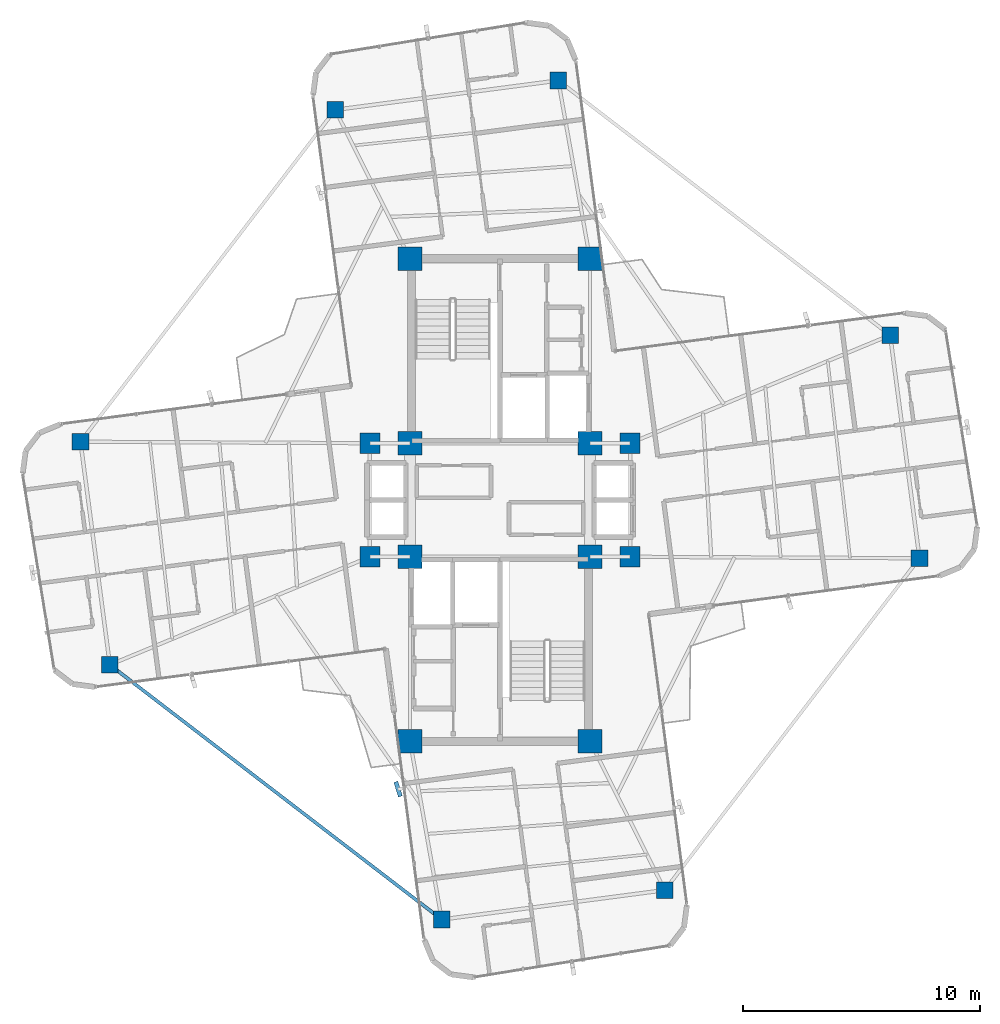
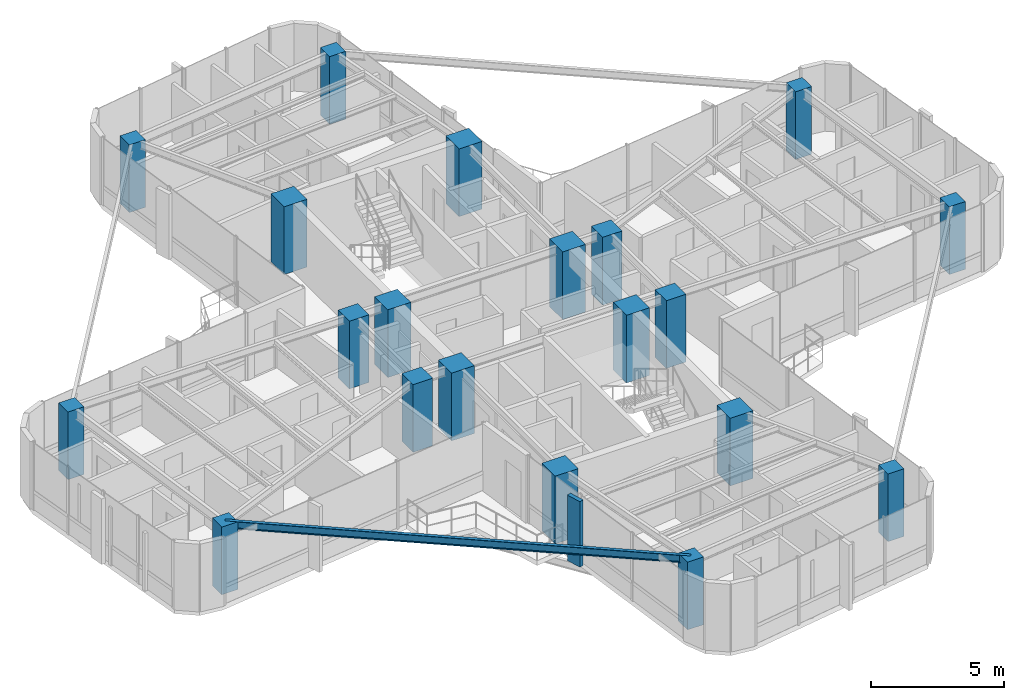
# One storey, part 1 of 23: 20 columns, 1 beam, 1 member, 1 element without a shape of its own.
"""IFC4 building model written with IfcOpenShell, lengths in metres."""

from ifc_helpers import new_model, si_unit, direction, frame, origin, origin_2d, place, context, subcontext, project, spatial, rectangle, i_section, extrude, source, transform, mapped, material, material_profile, profile_set, type_object, element, aggregate, save


model = new_model("IFC4")

# Units and contexts
model_context = context("Model", 3, precision=1e-05, world=origin(), true_north=direction((0.0, 1.0)))
body_context = subcontext(model_context, "Body", "Model", "MODEL_VIEW")
ifc_project = project(units=[si_unit("LENGTHUNIT", "METRE"), si_unit("AREAUNIT", "SQUARE_METRE"), si_unit("VOLUMEUNIT", "CUBIC_METRE"), si_unit("PLANEANGLEUNIT", "RADIAN"), si_unit("MASSUNIT", "GRAM", prefix="KILO")], contexts=[model_context])

# Site, building, storey
site_placement = place(None, origin())
site = spatial("IfcSite", under=ifc_project, at=site_placement, CompositionType="ELEMENT")
building_placement = place(site_placement, origin())
building = spatial("IfcBuilding", under=site, at=building_placement, Name="Sahyath Konkavel Grand Hotel", CompositionType="ELEMENT")
storey_placement = place(building_placement, frame((0.0, 0.0, 254.550048828125)))
storey = spatial("IfcBuildingStorey", under=building, at=storey_placement, Name="L71", CompositionType="ELEMENT", Elevation=254.550048828125)

# Columns
ifc_material_1 = material(Name="Concrete C50/60", Category="concrete")
ifc_material_profile_1 = material_profile(ifc_material_1, rectangle(XDim=1.0, YDim=1.0, at=origin_2d()), Name="RC 1000x1000")
ifc_profile_set_1 = profile_set([ifc_material_profile_1], Name="Concrete C50/60")
column_type_1 = type_object("IfcColumnType", Name="COL-RC1000", PredefinedType="COLUMN", material=ifc_profile_set_1)
shared_shape_1 = source(origin(), body_context, "Body", "SweptSolid", [
    extrude(rectangle(XDim=1.0, YDim=1.0, at=origin_2d()), origin(), (0.0, 0.0, 1.0), 3.10986328125),
])
for number, where, z_axis, x_axis, name in (
    (1, (-3.800048828125, 2.39990234375, 0.0), (0.0, 0.0, 1.0), (1.0, 0.0, 0.0), "L71 Core Boundary Column NC-SW"),
    (2, (3.800048828125, 2.39990234375, 0.0), (0.0, 0.0, 1.0), (1.0, 0.0, 0.0), "L71 Core Boundary Column NC-SE"),
    (3, (-3.800048828125, 10.199951171875, 0.0), (0.0, 0.0, 1.0), (1.0, 0.0, 0.0), "L71 Core Boundary Column NC-NW"),
    (4, (3.800048828125, 10.199951171875, 0.0), (0.0, 0.0, 1.0), (1.0, 0.0, 0.0), "L71 Core Boundary Column NC-NE"),
    (5, (-3.800048828125, -2.39990234375, 0.0), (0.0, 0.0, 1.0), (1.0, 0.0, 0.0), "L71 Core Boundary Column SC-NW"),
    (6, (3.800048828125, -2.39990234375, 0.0), (0.0, 0.0, 1.0), (1.0, 0.0, 0.0), "L71 Core Boundary Column SC-NE"),
    (7, (-3.800048828125, -10.199951171875, 0.0), (0.0, 0.0, 1.0), (1.0, 0.0, 0.0), "L71 Core Boundary Column SC-SW"),
    (8, (3.800048828125, -10.199951171875, 0.0), (0.0, 0.0, 1.0), (1.0, 0.0, 0.0), "L71 Core Boundary Column SC-SE"),
):
    element("IfcColumn", number, at=place(storey_placement, frame(where, z_axis=z_axis, x_axis=x_axis)), inside=storey, type_object=column_type_1, Name=name, PredefinedType="COLUMN", context=body_context, shape_type="MappedRepresentation", body=[
        mapped(shared_shape_1, transform((0.0, 0.0, 0.0), scale=1.0)),
    ])
ifc_material_2 = material(Name="Concrete C40/50", Category="concrete")
ifc_material_profile_2 = material_profile(ifc_material_2, rectangle(XDim=0.85009765625, YDim=0.85009765625, at=origin_2d()), Name="RC 850x850")
ifc_profile_set_2 = profile_set([ifc_material_profile_2], Name="Concrete C40/50")
column_type_2 = type_object("IfcColumnType", Name="COL-RC850", PredefinedType="COLUMN", material=ifc_profile_set_2)
shared_shape_2 = source(origin(), body_context, "Body", "SweptSolid", [
    extrude(rectangle(XDim=0.85009765625, YDim=0.85009765625, at=origin_2d()), origin(), (0.0, 0.0, 1.0), 3.10986328125),
])
for number, where, z_axis, x_axis, name in (
    (9, (5.5, 2.39990234375, 0.0), (0.0, 0.0, 1.0), (1.0, 0.0, 0.0), "L71 Central Spine Column HB-NE"),
    (10, (-5.5, 2.39990234375, 0.0), (0.0, 0.0, 1.0), (1.0, 0.0, 0.0), "L71 Central Spine Column HB-NW"),
    (11, (5.5, -2.39990234375, 0.0), (0.0, 0.0, 1.0), (1.0, 0.0, 0.0), "L71 Central Spine Column HB-SE"),
    (12, (-5.5, -2.39990234375, 0.0), (0.0, 0.0, 1.0), (1.0, 0.0, 0.0), "L71 Central Spine Column HB-SW"),
):
    element("IfcColumn", number, at=place(storey_placement, frame(where, z_axis=z_axis, x_axis=x_axis)), inside=storey, type_object=column_type_2, Name=name, PredefinedType="COLUMN", context=body_context, shape_type="MappedRepresentation", body=[
        mapped(shared_shape_2, transform((0.0, 0.0, 0.0), scale=1.0)),
    ])
ifc_material_profile_3 = material_profile(ifc_material_2, rectangle(XDim=0.699951171875, YDim=0.699951171875, at=origin_2d()), Name="RC 700x700")
ifc_profile_set_3 = profile_set([ifc_material_profile_3], Name="Concrete C40/50")
column_type_3 = type_object("IfcColumnType", Name="COL-RC700", PredefinedType="COLUMN", material=ifc_profile_set_3)
shared_shape_3 = source(origin(), body_context, "Body", "SweptSolid", [
    extrude(rectangle(XDim=0.699951171875, YDim=0.699951171875, at=origin_2d()), origin(), (0.0, 0.0, 1.0), 3.10986328125),
])
for number, where, z_axis, x_axis, name in (
    (13, (17.725830078125, -2.46142578125, 0.0), (0.0, 0.0, 1.0), (1.0, 0.0, 0.0), "L71 Cruciform Wing Column WC-EA"),
    (14, (16.48486328125, 6.96533203125, 0.0), (0.0, 0.0, 1.0), (1.0, 0.0, 0.0), "L71 Cruciform Wing Column WC-EB"),
    (15, (2.46142578125, 17.725830078125, 0.0), (0.0, 0.0, 1.0), (1.0, 0.0, 0.0), "L71 Cruciform Wing Column WC-NA"),
    (16, (-6.96533203125, 16.48486328125, 0.0), (0.0, 0.0, 1.0), (1.0, 0.0, 0.0), "L71 Cruciform Wing Column WC-NB"),
    (17, (-17.725830078125, 2.46142578125, 0.0), (0.0, 0.0, 1.0), (1.0, 0.0, 0.0), "L71 Cruciform Wing Column WC-WA"),
    (18, (-16.48486328125, -6.96533203125, 0.0), (0.0, 0.0, 1.0), (1.0, 0.0, 0.0), "L71 Cruciform Wing Column WC-WB"),
    (19, (-2.46142578125, -17.725830078125, 0.0), (0.0, 0.0, 1.0), (1.0, 0.0, 0.0), "L71 Cruciform Wing Column WC-SA"),
    (20, (6.96533203125, -16.48486328125, 0.0), (0.0, 0.0, 1.0), (1.0, 0.0, 0.0), "L71 Cruciform Wing Column WC-SB"),
):
    element("IfcColumn", number, at=place(storey_placement, frame(where, z_axis=z_axis, x_axis=x_axis)), inside=storey, type_object=column_type_3, Name=name, PredefinedType="COLUMN", context=body_context, shape_type="MappedRepresentation", body=[
        mapped(shared_shape_3, transform((0.0, 0.0, 0.0), scale=1.0)),
    ])

# Beam
ifc_material_3 = material(Name="Steel E350", Category="steel")
ifc_material_profile_4 = material_profile(ifc_material_3, i_section(OverallWidth=0.139892578125, OverallDepth=0.35009765625, WebThickness=0.008056640625, FlangeThickness=0.01416015625, FilletRadius=0.013916015625, at=origin_2d()), Name="ISMB 350")
ifc_profile_set_4 = profile_set([ifc_material_profile_4], Name="Steel E350")
beam_type = type_object("IfcBeamType", Name="BM-ISMB350", PredefinedType="BEAM", material=ifc_profile_set_4)
shared_shape_4 = source(origin(), body_context, "Body", "SweptSolid", [
    extrude(i_section(OverallWidth=0.139892578125, OverallDepth=0.35009765625, WebThickness=0.008056640625, FlangeThickness=0.01416015625, FilletRadius=0.013916015625, at=origin_2d()), origin(), (0.0, 0.0, 1.0), 17.676025390625),
])
beam_placement = place(storey_placement, frame((-16.48486328125, -6.96533203125, 2.93505859375), z_axis=(0.793355089258, -0.608759149705, 0.0), x_axis=(0.608759149705, 0.793355089258, 0.0)))
element("IfcBeam", 21, at=beam_placement, inside=storey, type_object=beam_type, Name="L71 Re-Entrant Tie Beam SW", PredefinedType="BEAM", context=body_context, shape_type="MappedRepresentation", body=[
    mapped(shared_shape_4, transform((0.0, 0.0, 0.0), scale=1.0)),
])

# Curtain wall, member
ifc_material_4 = material(Name="Anodised Bronze Aluminium & Low-E Glazing", Category="aluminium")
curtain_wall_type = type_object("IfcCurtainWallType", Name="CW-ZONE4", PredefinedType="NOTDEFINED", material=ifc_material_4)
curtain_wall_placement = place(storey_placement, origin())
curtain_wall = element("IfcCurtainWall", 22, at=curtain_wall_placement, inside=storey, type_object=curtain_wall_type, Name="L71 Unitised Curtain Wall F24", PredefinedType="NOTDEFINED")
ifc_material_5 = material(Name="Warm Buff Sandstone Cladding on Concrete C50/60", Category="masonry")
ifc_material_profile_5 = material_profile(ifc_material_5, rectangle(XDim=0.179931640625, YDim=0.64990234375, at=origin_2d()), Name="FIN 180x650")
ifc_profile_set_5 = profile_set([ifc_material_profile_5], Name="Warm Buff Sandstone Cladding on Concrete C50/60")
member_type = type_object("IfcMemberType", Name="FIN-SANDSTONE-650", PredefinedType="MULLION", material=ifc_profile_set_5)
shared_shape_5 = source(origin(), body_context, "Body", "SweptSolid", [
    extrude(rectangle(XDim=0.179931640625, YDim=0.64990234375, at=origin_2d()), origin(), (0.0, 0.0, 1.0), 3.010009765625),
])
member_placement = place(storey_placement, frame((-4.306396484375, -12.216796875, 0.050048828125), z_axis=(0.0, 0.0, 1.0), x_axis=(0.954083620326, 0.299540390309, 0.0)))
member = element("IfcMember", 23, at=member_placement, type_object=member_type, Name="L71 Sandstone Vertical Solar Fin FIN F24-1", PredefinedType="MULLION", context=body_context, shape_type="MappedRepresentation", body=[
    mapped(shared_shape_5, transform((0.0, 0.0, 0.0), scale=1.0)),
])
aggregate(curtain_wall, [member])

save(model, "model.ifc")
